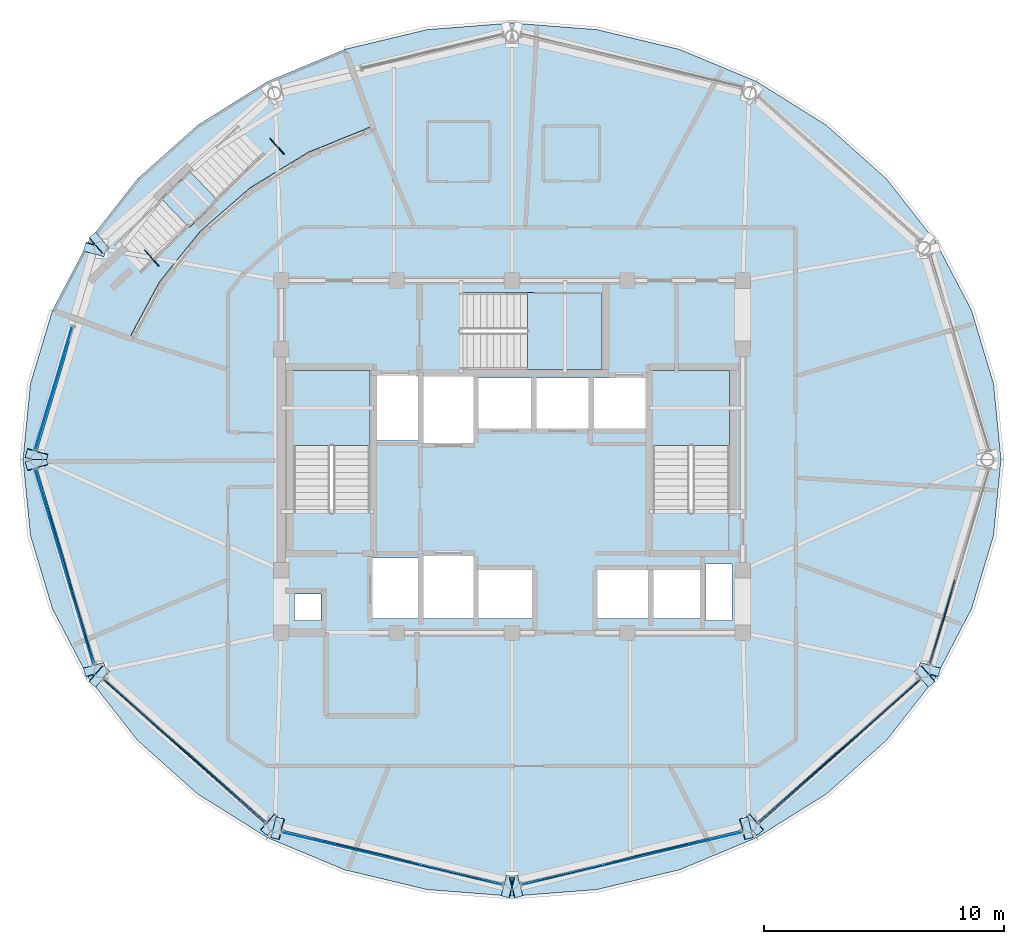
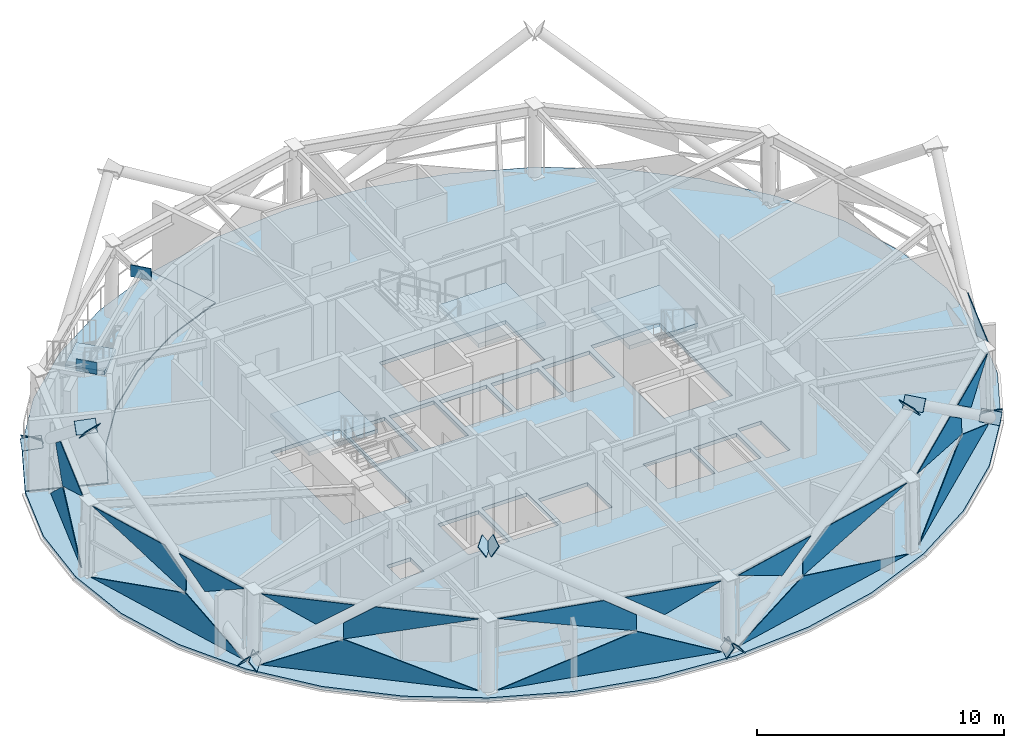
# One storey, part 6 of 16: 34 plates, 6 slabs, 11 elements without a shape of their own.
"""IFC4 building model written with IfcOpenShell, lengths in metres."""

from ifc_helpers import new_model, si_unit, direction, frame, origin, origin_2d, place, context, subcontext, project, spatial, polyline, rectangle, outline, extrude, material, layer, layer_set, type_object, element, aggregate, save


model = new_model("IFC4")

# Units and contexts
model_context = context("Model", 3, precision=1e-05, world=origin(), true_north=direction((0.0, 1.0)))
body_context = subcontext(model_context, "Body", "Model", "MODEL_VIEW")
ifc_project = project(units=[si_unit("LENGTHUNIT", "METRE"), si_unit("AREAUNIT", "SQUARE_METRE"), si_unit("VOLUMEUNIT", "CUBIC_METRE"), si_unit("PLANEANGLEUNIT", "RADIAN"), si_unit("MASSUNIT", "GRAM", prefix="KILO")], contexts=[model_context])

# Site, building, storey
site_placement = place(None, origin())
site = spatial("IfcSite", under=ifc_project, at=site_placement, CompositionType="ELEMENT")
building_placement = place(site_placement, origin())
building = spatial("IfcBuilding", under=site, at=building_placement, Name="Vantalir Tower", CompositionType="ELEMENT")
storey_placement = place(building_placement, frame((0.0, 0.0, 267.60009765625)))
storey = spatial("IfcBuildingStorey", under=building, at=storey_placement, Name="L67", CompositionType="ELEMENT", Elevation=267.60009765625)

# Curtain wall, plates
ifc_material_1 = material(Name="Champagne-silver PVDF aluminium and double-silver Low-E glass", Category="aluminium")
ifc_layer_1 = layer(ifc_material_1, 0.219970703125)
ifc_layer_set_1 = layer_set([ifc_layer_1], Name="Champagne-silver PVDF aluminium and double-silver Low-E glass")
curtain_wall_type = type_object("IfcCurtainWallType", Name="CW-DIAMOND-Z4", PredefinedType="USERDEFINED", material=ifc_layer_set_1)
curtain_wall_1_placement = place(storey_placement, origin())
curtain_wall_1 = element("IfcCurtainWall", 1, at=curtain_wall_1_placement, inside=storey, type_object=curtain_wall_type, Name="L67 Quilted Pyramid-Diamond Curtain Wall S06", ObjectType="UNITISED CURTAIN WALL", PredefinedType="USERDEFINED")
ifc_material_2 = material(Name="Double-silver Low-E acoustic glass IGU", Category="glass")
ifc_layer_2 = layer(ifc_material_2, 0.031982421875)
ifc_layer_set_2 = layer_set([ifc_layer_2], Name="Double-silver Low-E acoustic glass IGU")
plate_type_1 = type_object("IfcPlateType", Name="CWP-IGU-32", PredefinedType="CURTAIN_PANEL", material=ifc_layer_set_2)
plate_1_placement = place(storey_placement, frame((13.188232421875, 30.5458984375, 0.04833984375), z_axis=(-0.957577626839, 0.288056549847, 0.008277237963), x_axis=(-0.288067135435, -0.95761021155, -9.0644158e-05)))
plate_1 = element("IfcPlate", 2, at=plate_1_placement, type_object=plate_type_1, Name="CW-L67-S06 Pyramid Diamond Facet 1L", PredefinedType="CURTAIN_PANEL", context=body_context, shape_type="SweptSolid", body=[
    extrude(outline(polyline([(0.0, 0.0), (5.386792249503169, 2.4936649967166602e-18), (2.0473744940546603, 1.7226567119049399), (0.0, 0.0)])), origin(), (0.0, 0.0, -1.0), 0.031982421875),
])
plate_2_placement = place(storey_placement, frame((12.869873046875, 29.22265625, 3.521728515625), z_axis=(-0.957019252204, 0.287828844554, 0.035618915686), x_axis=(-0.288009506012, -0.957627547991, 6.1444302e-05)))
plate_2 = element("IfcPlate", 3, at=plate_2_placement, type_object=plate_type_1, Name="CW-L67-S06 Pyramid Diamond Facet 2U", PredefinedType="CURTAIN_PANEL", context=body_context, shape_type="SweptSolid", body=[
    extrude(outline(polyline([(0.0, 0.0), (4.004631467697305, -8.131516293641283e-19), (0.6883509899797698, -1.7237923894219778), (-0.7072590857941392, -0.547665427868717), (0.0, 0.0)])), origin(), (0.0, 0.0, -1.0), 0.031982421875),
])
aggregate(curtain_wall_1, [plate_1, plate_2])

curtain_wall_2_placement = place(storey_placement, origin())
curtain_wall_2 = element("IfcCurtainWall", 4, at=curtain_wall_2_placement, inside=storey, type_object=curtain_wall_type, Name="L67 Quilted Pyramid-Diamond Curtain Wall S07", ObjectType="UNITISED CURTAIN WALL", PredefinedType="USERDEFINED")
plate_3_placement = place(storey_placement, frame((11.63671875, 24.6123046875, 0.046875), z_axis=(-0.957603117015, -0.287974082888, 0.008197430566), x_axis=(0.287983984755, -0.957635224758, 2.8772503e-05)))
plate_3 = element("IfcPlate", 5, at=plate_3_placement, type_object=plate_type_1, Name="CW-L67-S07 Pyramid Diamond Facet 1L", PredefinedType="CURTAIN_PANEL", context=body_context, shape_type="SweptSolid", body=[
    extrude(outline(polyline([(0.0, 0.0), (8.485206278758936, 1.8973538018496328e-18), (5.256599613182047, 1.7250043707163476), (0.0, 0.0)])), origin(), (0.0, 0.0, -1.0), 0.031982421875),
])
plate_4_placement = place(storey_placement, frame((11.716552734375, 24.6123046875, 3.52294921875), z_axis=(-0.957018061878, -0.287815237253, 0.03576057108), x_axis=(0.287999406552, -0.957630587348, -1.141414e-06)))
plate_4 = element("IfcPlate", 6, at=plate_4_placement, type_object=plate_type_1, Name="CW-L67-S07 Pyramid Diamond Facet 2U", PredefinedType="CURTAIN_PANEL", context=body_context, shape_type="SweptSolid", body=[
    extrude(outline(polyline([(0.0, 0.0), (4.0033218532381625, 0.0), (5.233414742523836, -0.9522632634597291), (5.233466864122239, -1.726200353671122), (0.0, 0.0)])), origin(), (0.0, 0.0, -1.0), 0.031982421875),
])
plate_5_placement = place(storey_placement, frame((13.07470703125, 19.97119140625, 3.524169921875), z_axis=(-0.957016928253, -0.287823606353, 0.035723530951), x_axis=(0.288005123931, -0.957628865491, -6.759097e-05)))
plate_5 = element("IfcPlate", 7, at=plate_5_placement, type_object=plate_type_1, Name="CW-L67-S07 Pyramid Diamond Facet 2U Infill Light", PredefinedType="CURTAIN_PANEL", context=body_context, shape_type="SweptSolid", body=[
    extrude(outline(polyline([(0.0, 0.0), (3.6120301921222637, 2.8731357570865868e-18), (1.479699489440973, -1.1451621827617566), (0.0, 0.0)])), origin(), (0.0, 0.0, -1.0), 0.031982421875),
])
aggregate(curtain_wall_2, [plate_3, plate_4, plate_5])

curtain_wall_3_placement = place(storey_placement, origin())
curtain_wall_3 = element("IfcCurtainWall", 8, at=curtain_wall_3_placement, inside=storey, type_object=curtain_wall_type, Name="L67 Quilted Pyramid-Diamond Curtain Wall S08", ObjectType="UNITISED CURTAIN WALL", PredefinedType="USERDEFINED")
plate_6_placement = place(storey_placement, frame((14.499267578125, 15.82958984375, 0.046875), z_axis=(-0.66516677979, -0.746658773318, 0.007336981111), x_axis=(0.746678738033, -0.665184832532, -2.7173693e-05)))
plate_6 = element("IfcPlate", 9, at=plate_6_placement, type_object=plate_type_1, Name="CW-L67-S08 Pyramid Diamond Facet 1L", PredefinedType="CURTAIN_PANEL", context=body_context, shape_type="SweptSolid", body=[
    extrude(outline(polyline([(0.0, 0.0), (8.984447731055392, 2.710505431213761e-18), (3.4205391671479166, 1.725481189259266), (0.0, 0.0)])), origin(), (0.0, 0.0, -1.0), 0.031982421875),
])
plate_7_placement = place(storey_placement, frame((18.075927734375, 12.740966796875, 3.52294921875), z_axis=(-0.664793506556, -0.746229262665, 0.034517838618), x_axis=(0.746675513153, -0.665188450652, 5.636461e-05)))
plate_7 = element("IfcPlate", 10, at=plate_7_placement, type_object=plate_type_1, Name="CW-L67-S08 Pyramid Diamond Facet 2U", PredefinedType="CURTAIN_PANEL", context=body_context, shape_type="SweptSolid", body=[
    extrude(outline(polyline([(0.0, 0.0), (4.247791204975792, 2.5695591487906455e-17), (-1.3045924108664704, -1.7262969984910668), (-1.3045782149620742, -0.9558230429317882), (0.0, 0.0)])), origin(), (0.0, 0.0, -1.0), 0.031982421875),
])
plate_8_placement = place(storey_placement, frame((14.54443359375, 15.8388671875, 3.524169921875), z_axis=(-0.664795074665, -0.746224519217, 0.034590108715), x_axis=(0.746671339937, -0.665193137455, 0.0)))
plate_8 = element("IfcPlate", 11, at=plate_8_placement, type_object=plate_type_1, Name="CW-L67-S08 Pyramid Diamond Facet 2U Infill Light", PredefinedType="CURTAIN_PANEL", context=body_context, shape_type="SweptSolid", body=[
    extrude(outline(polyline([(0.0, 0.0), (3.835381617153688, 0.0), (2.2634809940875598, -1.151812310783424), (0.0, 0.0)])), origin(), (0.0, 0.0, -1.0), 0.031982421875),
])
aggregate(curtain_wall_3, [plate_6, plate_7, plate_8])

curtain_wall_4_placement = place(storey_placement, origin())
curtain_wall_4 = element("IfcCurtainWall", 12, at=curtain_wall_4_placement, inside=storey, type_object=curtain_wall_type, Name="L67 Quilted Pyramid-Diamond Curtain Wall S09", ObjectType="UNITISED CURTAIN WALL", PredefinedType="USERDEFINED")
plate_9_placement = place(storey_placement, frame((21.90380859375, 9.489990234375, 0.046630859375), z_axis=(-0.232213696624, -0.972644130112, 0.00633997305), x_axis=(0.972663716211, -0.232218204499, 2.580489e-05)))
plate_9 = element("IfcPlate", 13, at=plate_9_placement, type_object=plate_type_1, Name="CW-L67-S09 Pyramid Diamond Facet 1L", PredefinedType="CURTAIN_PANEL", context=body_context, shape_type="SweptSolid", body=[
    extrude(outline(polyline([(0.0, 0.0), (9.461021753718784, 1.0842021724855044e-19), (5.860841238901259, 1.7257135234354184), (0.0, 0.0)])), origin(), (0.0, 0.0, -1.0), 0.031982421875),
])
plate_10_placement = place(storey_placement, frame((21.94384765625, 9.552001953125, 3.523193359375), z_axis=(-0.232036803106, -0.972119958818, 0.033789165021), x_axis=(0.972674938609, -0.232171188484, -5.5135182e-05)))
plate_10 = element("IfcPlate", 14, at=plate_10_placement, type_object=plate_type_1, Name="CW-L67-S09 Pyramid Diamond Facet 2U", PredefinedType="CURTAIN_PANEL", context=body_context, shape_type="SweptSolid", body=[
    extrude(outline(polyline([(0.0, 0.0), (4.481360355073054, 4.30970363562988e-18), (5.836411070078648, -0.9491948254882803), (5.836468819461956, -1.7264970849296748), (0.0, 0.0)])), origin(), (0.0, 0.0, -1.0), 0.031982421875),
])
plate_11_placement = place(storey_placement, frame((27.15869140625, 8.270263671875, 3.524169921875), z_axis=(-0.23207637139, -0.972105984524, 0.033919208353), x_axis=(0.972665677659, -0.232209990105, 0.0)))
plate_11 = element("IfcPlate", 15, at=plate_11_placement, type_object=plate_type_1, Name="CW-L67-S09 Pyramid Diamond Facet 2U Infill Light", PredefinedType="CURTAIN_PANEL", context=body_context, shape_type="SweptSolid", body=[
    extrude(outline(polyline([(0.0, 0.0), (4.049910544655532, -3.469446951953614e-18), (1.6504108016246053, -1.156182871072711), (0.0, 0.0)])), origin(), (0.0, 0.0, -1.0), 0.031982421875),
])
aggregate(curtain_wall_4, [plate_9, plate_10, plate_11])

curtain_wall_5_placement = place(storey_placement, origin())
curtain_wall_5 = element("IfcCurtainWall", 16, at=curtain_wall_5_placement, inside=storey, type_object=curtain_wall_type, Name="L67 Quilted Pyramid-Diamond Curtain Wall S10", ObjectType="UNITISED CURTAIN WALL", PredefinedType="USERDEFINED")
plate_12_placement = place(storey_placement, frame((31.893798828125, 7.29296875, 0.046875), z_axis=(0.232213696624, -0.972644130112, 0.00633997305), x_axis=(0.972663716211, 0.232218204499, -2.580489e-05)))
plate_12 = element("IfcPlate", 17, at=plate_12_placement, type_object=plate_type_1, Name="CW-L67-S10 Pyramid Diamond Facet 1L", PredefinedType="CURTAIN_PANEL", context=body_context, shape_type="SweptSolid", body=[
    extrude(outline(polyline([(0.0, 0.0), (9.461021753718784, -1.0842021724855044e-19), (3.6001805148175237, 1.7257135234354182), (0.0, 0.0)])), origin(), (0.0, 0.0, -1.0), 0.031982421875),
])
plate_13_placement = place(storey_placement, frame((36.697265625, 8.511474609375, 3.52294921875), z_axis=(0.232036803106, -0.972119958818, 0.033789165021), x_axis=(0.972674938609, 0.232171188484, 5.5135182e-05)))
plate_13 = element("IfcPlate", 18, at=plate_13_placement, type_object=plate_type_1, Name="CW-L67-S10 Pyramid Diamond Facet 2U", PredefinedType="CURTAIN_PANEL", context=body_context, shape_type="SweptSolid", body=[
    extrude(outline(polyline([(0.0, 0.0), (4.481360355073054, -4.30970363562988e-18), (-1.3551084643889024, -1.7264970849296748), (-1.355050715005594, -0.9491948254882803), (0.0, 0.0)])), origin(), (0.0, 0.0, -1.0), 0.031982421875),
])
plate_14_placement = place(storey_placement, frame((31.902099609375, 7.329833984375, 3.524169921875), z_axis=(0.23207637139, -0.972105984524, 0.033919208353), x_axis=(0.972665677659, 0.232209990105, 0.0)))
plate_14 = element("IfcPlate", 19, at=plate_14_placement, type_object=plate_type_1, Name="CW-L67-S10 Pyramid Diamond Facet 2U Infill Light", PredefinedType="CURTAIN_PANEL", context=body_context, shape_type="SweptSolid", body=[
    extrude(outline(polyline([(0.0, 0.0), (4.049910544655532, 3.469446951953614e-18), (2.3994997430309266, -1.156182871072711), (0.0, 0.0)])), origin(), (0.0, 0.0, -1.0), 0.031982421875),
])
aggregate(curtain_wall_5, [plate_12, plate_13, plate_14])

curtain_wall_6_placement = place(storey_placement, origin())
curtain_wall_6 = element("IfcCurtainWall", 20, at=curtain_wall_6_placement, inside=storey, type_object=curtain_wall_type, Name="L67 Quilted Pyramid-Diamond Curtain Wall S11", ObjectType="UNITISED CURTAIN WALL", PredefinedType="USERDEFINED")
plate_15_placement = place(storey_placement, frame((41.792236328125, 9.853271484375, 0.046630859375), z_axis=(0.66516677979, -0.746658773318, 0.007336981111), x_axis=(0.746678738033, 0.665184832532, 2.7173693e-05)))
plate_15 = element("IfcPlate", 21, at=plate_15_placement, type_object=plate_type_1, Name="CW-L67-S11 Pyramid Diamond Facet 1L", PredefinedType="CURTAIN_PANEL", context=body_context, shape_type="SweptSolid", body=[
    extrude(outline(polyline([(0.0, 0.0), (8.984447731055392, -2.710505431213761e-18), (5.563908563907474, 1.725481189259266), (0.0, 0.0)])), origin(), (0.0, 0.0, -1.0), 0.031982421875),
])
plate_16_placement = place(storey_placement, frame((41.75244140625, 9.915283203125, 3.523193359375), z_axis=(0.664793506556, -0.746229262665, 0.034517838618), x_axis=(0.746675513153, 0.665188450652, -5.636461e-05)))
plate_16 = element("IfcPlate", 22, at=plate_16_placement, type_object=plate_type_1, Name="CW-L67-S11 Pyramid Diamond Facet 2U", PredefinedType="CURTAIN_PANEL", context=body_context, shape_type="SweptSolid", body=[
    extrude(outline(polyline([(0.0, 0.0), (4.247791204975792, -2.5695591487906455e-17), (5.5523694199378655, -0.9558230429317882), (5.552383615842262, -1.7262969984910668), (0.0, 0.0)])), origin(), (0.0, 0.0, -1.0), 0.031982421875),
])
plate_17_placement = place(storey_placement, frame((45.591796875, 13.28759765625, 3.524169921875), z_axis=(0.664795074665, -0.746224519217, 0.034590108715), x_axis=(0.746671339937, 0.665193137455, 0.0)))
plate_17 = element("IfcPlate", 23, at=plate_17_placement, type_object=plate_type_1, Name="CW-L67-S11 Pyramid Diamond Facet 2U Infill Light", PredefinedType="CURTAIN_PANEL", context=body_context, shape_type="SweptSolid", body=[
    extrude(outline(polyline([(0.0, 0.0), (3.835381617153688, 0.0), (1.571900623066128, -1.1518123107834237), (0.0, 0.0)])), origin(), (0.0, 0.0, -1.0), 0.031982421875),
])
aggregate(curtain_wall_6, [plate_15, plate_16, plate_17])

# Curtain wall, plate
curtain_wall_7_placement = place(storey_placement, origin())
curtain_wall_7 = element("IfcCurtainWall", 24, at=curtain_wall_7_placement, inside=storey, type_object=curtain_wall_type, Name="L67 Quilted Pyramid-Diamond Curtain Wall S12", ObjectType="UNITISED CURTAIN WALL", PredefinedType="USERDEFINED")
plate_18_placement = place(storey_placement, frame((48.885009765625, 16.51220703125, 3.52392578125), z_axis=(0.957016928253, -0.287823606353, 0.035723530951), x_axis=(0.288005123931, 0.957628865491, 6.759097e-05)))
plate_18 = element("IfcPlate", 25, at=plate_18_placement, type_object=plate_type_1, Name="CW-L67-S12 Pyramid Diamond Facet 2U Infill Light", PredefinedType="CURTAIN_PANEL", context=body_context, shape_type="SweptSolid", body=[
    extrude(outline(polyline([(0.0, 0.0), (3.6120301921222637, -2.8731357570865868e-18), (2.1323307026812905, -1.1451621827617569), (0.0, 0.0)])), origin(), (0.0, 0.0, -1.0), 0.031982421875),
])
aggregate(curtain_wall_7, [plate_18])

# Plates
ifc_material_3 = material(Name="Steel S460", Category="steel")
ifc_layer_3 = layer(ifc_material_3, 0.035888671875)
ifc_layer_set_3 = layer_set([ifc_layer_3], Name="Steel S460")
plate_type_2 = type_object("IfcPlateType", Name="PLT-KN-Z2", PredefinedType="USERDEFINED", material=ifc_layer_set_3)
for number, where, z_axis, x_axis, name in (
    (26, (21.72802734375, 38.031982421875, 3.1298828125), (0.0, 0.0, 1.0), (-0.747021203603, -0.664800211618, 0.0), "L67 Lintel Cap 1A"),
    (27, (16.510986328125, 33.389892578125, 3.1298828125), (0.0, 0.0, 1.0), (-0.747021203603, -0.664800211618, 0.0), "L67 Lintel Cap 1B"),
):
    element("IfcPlate", number, at=place(storey_placement, frame(where, z_axis=z_axis, x_axis=x_axis)), inside=storey, type_object=plate_type_2, Name=name, ObjectType="FLANGE_PLATE", PredefinedType="USERDEFINED", context=body_context, shape_type="SweptSolid", body=[
        extrude(rectangle(XDim=0.035888671875, YDim=0.8798828125, at=origin_2d()), origin(), (0.0, 0.0, 1.0), 0.580078125),
    ])
plate_19_placement = place(storey_placement, frame((13.67626953125, 33.675537109375, -0.009765625), z_axis=(-0.215226659059, -0.760862439977, 0.612181209007), x_axis=(0.962243074722, -0.272191596396, 0.0)))
element("IfcPlate", 28, at=plate_19_placement, inside=storey, type_object=plate_type_2, Name="Node Cap Plate MEM-DG-L67-R16L Start", ObjectType="FLANGE_PLATE", PredefinedType="USERDEFINED", context=body_context, shape_type="SweptSolid", body=[
    extrude(outline(polyline([(0.0, 0.0), (0.8799020847661332, 2.7755575615628914e-17), (0.8799636605062512, 0.5798481667872841), (6.157574011797506e-05, 0.5798481667872841), (0.0, 0.0)])), origin(), (0.0, 0.0, -1.0), 0.035888671875),
])
plate_20_placement = place(storey_placement, frame((11.24951171875, 25.094970703125, 6.89306640625), z_axis=(-0.215158788321, -0.760841831483, 0.612230678154), x_axis=(0.962263623275, -0.272118943336, 0.0)))
element("IfcPlate", 29, at=plate_20_placement, inside=storey, type_object=plate_type_2, Name="Node Cap Plate MEM-DG-L67-R16L End", ObjectType="FLANGE_PLATE", PredefinedType="USERDEFINED", context=body_context, shape_type="SweptSolid", body=[
    extrude(outline(polyline([(0.0, 0.0), (0.8801370099005008, 0.0), (0.8801589518307799, 0.5801850290104398), (2.1941930279031907e-05, 0.5801850290104398), (0.0, 0.0)])), origin(), (0.0, 0.0, -1.0), 0.035888671875),
])
plate_21_placement = place(storey_placement, frame((14.753662109375, 33.799560546875, -0.019287109375), z_axis=(0.610086281914, 0.527518213685, 0.591201541651), x_axis=(-0.654067743502, 0.756435976712, 6.770196e-06)))
element("IfcPlate", 30, at=plate_21_placement, inside=storey, type_object=plate_type_2, Name="Node Cap Plate MEM-DG-L67-R16R Start", ObjectType="FLANGE_PLATE", PredefinedType="USERDEFINED", context=body_context, shape_type="SweptSolid", body=[
    extrude(outline(polyline([(0.0, 0.0), (0.8801495721854425, 0.0), (0.8800197510663317, 0.5799797162433005), (0.0002145401407071204, 0.5799944898164169), (0.0, 0.0)])), origin(), (0.0, 0.0, -1.0), 0.035888671875),
])
plate_22_placement = place(storey_placement, frame((14.177978515625, 15.53369140625, -0.019287109375), z_axis=(0.610086281914, -0.527518213685, 0.591201541651), x_axis=(0.654067743502, 0.756435976712, -6.770196e-06)))
element("IfcPlate", 31, at=plate_22_placement, inside=storey, type_object=plate_type_2, Name="Node Cap Plate MEM-DG-L67-R22L Start", ObjectType="FLANGE_PLATE", PredefinedType="USERDEFINED", context=body_context, shape_type="SweptSolid", body=[
    extrude(outline(polyline([(0.0, 0.0), (0.8801495721854425, 0.0), (0.8799350320447354, 0.5799944898164169), (0.00012982111911078427, 0.5799797162433006), (0.0, 0.0)])), origin(), (0.0, 0.0, -1.0), 0.035888671875),
])
plate_23_placement = place(storey_placement, frame((21.314697265625, 9.3642578125, 6.892578125), z_axis=(0.610199071118, -0.527503836649, 0.59109795798), x_axis=(0.653960623194, 0.756528586004, 4.3253121e-05)))
element("IfcPlate", 32, at=plate_23_placement, inside=storey, type_object=plate_type_2, Name="Node Cap Plate MEM-DG-L67-R22L End", ObjectType="FLANGE_PLATE", PredefinedType="USERDEFINED", context=body_context, shape_type="SweptSolid", body=[
    extrude(outline(polyline([(0.0, 0.0), (0.8799899030518978, 5.551115123125783e-17), (0.8800069765624379, 0.5798853249034779), (0.00020177287235743005, 0.5799796921876466), (0.0, 0.0)])), origin(), (0.0, 0.0, -1.0), 0.035888671875),
])
plate_24_placement = place(storey_placement, frame((14.52294921875, 16.56298828125, -0.009765625), z_axis=(-0.215226659059, 0.760862439977, 0.612181209007), x_axis=(-0.962243074722, -0.272191596396, 0.0)))
element("IfcPlate", 33, at=plate_24_placement, inside=storey, type_object=plate_type_2, Name="Node Cap Plate MEM-DG-L67-R22R Start", ObjectType="FLANGE_PLATE", PredefinedType="USERDEFINED", context=body_context, shape_type="SweptSolid", body=[
    extrude(outline(polyline([(0.0, 0.0), (0.8799020847661332, -2.7755575615628914e-17), (0.8798405090260153, 0.5798481667872841), (-6.157574011797506e-05, 0.5798481667872841), (0.0, 0.0)])), origin(), (0.0, 0.0, -1.0), 0.035888671875),
])
plate_25_placement = place(storey_placement, frame((12.096435546875, 25.14453125, 6.89306640625), z_axis=(-0.215083899646, 0.760964862694, 0.612104071101), x_axis=(-0.96228632897, -0.272038631272, 6.4602548e-05)))
element("IfcPlate", 34, at=plate_25_placement, inside=storey, type_object=plate_type_2, Name="Node Cap Plate MEM-DG-L67-R22R End", ObjectType="FLANGE_PLATE", PredefinedType="USERDEFINED", context=body_context, shape_type="SweptSolid", body=[
    extrude(outline(polyline([(0.0, 0.0), (0.880137004998549, -2.7755575615628914e-17), (0.8800486375827811, 0.5800412214067102), (-2.1951734304989153e-05, 0.5801850215738391), (0.0, 0.0)])), origin(), (0.0, 0.0, -1.0), 0.035888671875),
])
plate_26_placement = place(storey_placement, frame((31.9501953125, 6.859130859375, -0.02685546875), z_axis=(0.794119333931, 0.200887535039, 0.573601500819), x_axis=(-0.245254504769, 0.969458729207, 1.5985904e-05)))
element("IfcPlate", 35, at=plate_26_placement, inside=storey, type_object=plate_type_2, Name="Node Cap Plate MEM-DG-L67-R28L Start", ObjectType="FLANGE_PLATE", PredefinedType="USERDEFINED", context=body_context, shape_type="SweptSolid", body=[
    extrude(outline(polyline([(0.0, 0.0), (0.8799057085116735, 0.0), (0.8799577333685337, 0.5799824000281086), (-0.00018465940319996104, 0.5800167484281901), (0.0, 0.0)])), origin(), (0.0, 0.0, -1.0), 0.035888671875),
])
plate_27_placement = place(storey_placement, frame((41.52685546875, 9.28369140625, 6.892333984375), z_axis=(0.793947649322, 0.201100077175, 0.573764663512), x_axis=(-0.245537379595, 0.969387123507, 0.0)))
element("IfcPlate", 36, at=plate_27_placement, inside=storey, type_object=plate_type_2, Name="Node Cap Plate MEM-DG-L67-R28L End", ObjectType="FLANGE_PLATE", PredefinedType="USERDEFINED", context=body_context, shape_type="SweptSolid", body=[
    extrude(outline(polyline([(0.0, 0.0), (0.8799656226747645, 0.0), (0.8801071215012269, 0.5797824125959326), (0.00014149882646246538, 0.5797824125959326), (0.0, 0.0)])), origin(), (0.0, 0.0, -1.0), 0.035888671875),
])
plate_28_placement = place(storey_placement, frame((31.265625, 7.712158203125, -0.02685546875), z_axis=(-0.794119333931, 0.200887535039, 0.573601500819), x_axis=(-0.245254504769, -0.969458729207, -1.5985904e-05)))
element("IfcPlate", 37, at=plate_28_placement, inside=storey, type_object=plate_type_2, Name="Node Cap Plate MEM-DG-L67-R28R Start", ObjectType="FLANGE_PLATE", PredefinedType="USERDEFINED", context=body_context, shape_type="SweptSolid", body=[
    extrude(outline(polyline([(0.0, 0.0), (0.8799057085116735, 0.0), (0.8800903679148734, 0.5800167484281901), (-5.202485686023545e-05, 0.5799824000281086), (0.0, 0.0)])), origin(), (0.0, 0.0, -1.0), 0.035888671875),
])
plate_29_placement = place(storey_placement, frame((21.689208984375, 10.13671875, 6.892333984375), z_axis=(-0.793947649322, 0.201100077175, 0.573764663512), x_axis=(-0.245537379595, -0.969387123507, 0.0)))
element("IfcPlate", 38, at=plate_29_placement, inside=storey, type_object=plate_type_2, Name="Node Cap Plate MEM-DG-L67-R28R End", ObjectType="FLANGE_PLATE", PredefinedType="USERDEFINED", context=body_context, shape_type="SweptSolid", body=[
    extrude(outline(polyline([(0.0, 0.0), (0.8799656226747645, 0.0), (0.879824123848302, 0.5797824125959326), (-0.00014149882646246538, 0.5797824125959326), (0.0, 0.0)])), origin(), (0.0, 0.0, -1.0), 0.035888671875),
])
plate_30_placement = place(storey_placement, frame((49.32373046875, 16.323486328125, -0.009765625), z_axis=(0.215226659059, 0.760862439977, 0.612181209007), x_axis=(-0.962243074722, 0.272191596396, 0.0)))
element("IfcPlate", 39, at=plate_30_placement, inside=storey, type_object=plate_type_2, Name="Node Cap Plate MEM-DG-L67-R34L Start", ObjectType="FLANGE_PLATE", PredefinedType="USERDEFINED", context=body_context, shape_type="SweptSolid", body=[
    extrude(outline(polyline([(0.0, 0.0), (0.8799020847661332, 2.7755575615628914e-17), (0.8799636605062512, 0.5798481667872841), (6.157574011797506e-05, 0.5798481667872841), (0.0, 0.0)])), origin(), (0.0, 0.0, -1.0), 0.035888671875),
])
plate_31_placement = place(storey_placement, frame((48.246337890625, 16.199462890625, -0.019287109375), z_axis=(-0.610086281914, -0.527518213685, 0.591201541651), x_axis=(0.654067743502, -0.756435976712, 6.770196e-06)))
element("IfcPlate", 40, at=plate_31_placement, inside=storey, type_object=plate_type_2, Name="Node Cap Plate MEM-DG-L67-R34R Start", ObjectType="FLANGE_PLATE", PredefinedType="USERDEFINED", context=body_context, shape_type="SweptSolid", body=[
    extrude(outline(polyline([(0.0, 0.0), (0.8801495721854425, 0.0), (0.8800197510663317, 0.5799797162433005), (0.0002145401407071204, 0.5799944898164169), (0.0, 0.0)])), origin(), (0.0, 0.0, -1.0), 0.035888671875),
])
plate_32_placement = place(storey_placement, frame((41.10986328125, 10.030029296875, 6.892578125), z_axis=(-0.610199071118, -0.527503836649, 0.59109795798), x_axis=(0.653960623194, -0.756528586004, -4.3253121e-05)))
element("IfcPlate", 41, at=plate_32_placement, inside=storey, type_object=plate_type_2, Name="Node Cap Plate MEM-DG-L67-R34R End", ObjectType="FLANGE_PLATE", PredefinedType="USERDEFINED", context=body_context, shape_type="SweptSolid", body=[
    extrude(outline(polyline([(0.0, 0.0), (0.8799899030518978, -5.551115123125783e-17), (0.8797881301795404, 0.5799796921876464), (-1.707351054009357e-05, 0.5798853249034779), (0.0, 0.0)])), origin(), (0.0, 0.0, -1.0), 0.035888671875),
])

# Stair, slab
ifc_material_4 = material(Name="Concrete C40/50", Category="concrete")
stair_type_1 = type_object("IfcStairType", Name="STR-CORE-1450", PredefinedType="HALF_TURN_STAIR", material=ifc_material_4)
stair_1_placement = place(storey_placement, origin())
stair_1 = element("IfcStair", 42, at=stair_1_placement, inside=storey, type_object=stair_type_1, Name="L67 Core Exit Stair 1", PredefinedType="HALF_TURN_STAIR")
ifc_layer_4 = layer(ifc_material_4, 0.199951171875)
ifc_layer_set_4 = layer_set([ifc_layer_4], Name="Concrete C40/50")
slab_type_1 = type_object("IfcSlabType", Name="SL-LAND-200", PredefinedType="LANDING", material=ifc_layer_set_4)
slab_1_placement = place(storey_placement, frame((0.0, 0.0, 1.6748046875)))
slab_1 = element("IfcSlab", 43, at=slab_1_placement, type_object=slab_type_1, Name="ST1 landing 1", PredefinedType="LANDING", context=body_context, shape_type="SweptSolid", body=[
    extrude(outline(polyline([(25.60009765625, 25.590087890625), (25.60009765625, 28.699951171875), (22.39990234375, 28.699951171875), (22.39990234375, 25.590087890625), (25.60009765625, 25.590087890625)])), origin(), (0.0, 0.0, 1.0), 0.2001953125),
])
aggregate(stair_1, [slab_1])

stair_2_placement = place(storey_placement, origin())
stair_2 = element("IfcStair", 44, at=stair_2_placement, inside=storey, type_object=stair_type_1, Name="L67 Core Exit Stair 2", PredefinedType="HALF_TURN_STAIR")
slab_2_placement = place(storey_placement, frame((0.0, 0.0, 1.6748046875)))
slab_2 = element("IfcSlab", 45, at=slab_2_placement, type_object=slab_type_1, Name="ST2 landing 1", PredefinedType="LANDING", context=body_context, shape_type="SweptSolid", body=[
    extrude(outline(polyline([(40.550048828125, 25.590087890625), (40.550048828125, 28.699951171875), (37.35009765625, 28.699951171875), (37.35009765625, 25.590087890625), (40.550048828125, 25.590087890625)])), origin(), (0.0, 0.0, 1.0), 0.2001953125),
])
aggregate(stair_2, [slab_2])

stair_3_placement = place(storey_placement, origin())
stair_3 = element("IfcStair", 46, at=stair_3_placement, inside=storey, type_object=stair_type_1, Name="L67 Core Exit Stair 3", PredefinedType="HALF_TURN_STAIR")
slab_3_placement = place(storey_placement, frame((0.0, 0.0, 1.6748046875)))
slab_3 = element("IfcSlab", 47, at=slab_3_placement, type_object=slab_type_1, Name="ST3 landing 1", PredefinedType="LANDING", context=body_context, shape_type="SweptSolid", body=[
    extrude(outline(polyline([(32.139892578125, 28.75), (35.25, 28.75), (35.25, 31.949951171875), (32.139892578125, 31.949951171875), (32.139892578125, 28.75)])), origin(), (0.0, 0.0, 1.0), 0.2001953125),
])
aggregate(stair_3, [slab_3])

ifc_material_5 = material(Name="Steel S355", Category="steel")
stair_type_2 = type_object("IfcStairType", Name="STR-SKYGARDEN-1550", PredefinedType="STRAIGHT_RUN_STAIR", material=ifc_material_5)
stair_4_placement = place(storey_placement, origin())
stair_4 = element("IfcStair", 48, at=stair_4_placement, inside=storey, type_object=stair_type_2, Name="Sky Garden Feature Stair SG4", PredefinedType="STRAIGHT_RUN_STAIR")
slab_4_placement = place(storey_placement, frame((0.0, 0.0, 1.6748046875)))
slab_4 = element("IfcSlab", 49, at=slab_4_placement, type_object=slab_type_1, Name="ST-SG4 landing 1", PredefinedType="LANDING", context=body_context, shape_type="SweptSolid", body=[
    extrude(outline(polyline([(18.10205078125, 36.987060546875), (16.9189453125, 35.85107421875), (18.075927734375, 34.64697265625), (19.259033203125, 35.782958984375), (18.10205078125, 36.987060546875)])), origin(), (0.0, 0.0, 1.0), 0.2001953125),
])
aggregate(stair_4, [slab_4])

# Slabs
ifc_material_6 = material(Name="Concrete C40/50 planted sky-garden PLANTER deck", Category="concrete")
ifc_layer_5 = layer(ifc_material_6, 0.260009765625)
ifc_layer_set_5 = layer_set([ifc_layer_5], Name="Concrete C40/50 planted sky-garden PLANTER deck")
slab_type_2 = type_object("IfcSlabType", Name="SL-SKYGARDEN-PLANTER-260", PredefinedType="ROOF", material=ifc_layer_set_5)
slab_5_placement = place(storey_placement, frame((0.0, 0.0, -0.22021484375)))
element("IfcSlab", 50, at=slab_5_placement, inside=storey, type_object=slab_type_2, Name="L67 Spiralling Sky Garden PLANTER Deck SG4", PredefinedType="ROOF", context=body_context, shape_type="SweptSolid", body=[
    extrude(outline(polyline([(12.388916015625, 31.215087890625), (15.580078125, 30.054931640625), (16.825927734375, 32.383056640625), (18.51904296875, 34.490966796875), (20.60791015625, 36.31201171875), (23.028076171875, 37.787109375), (25.699951171875, 38.8740234375), (24.5380859375, 42.06396484375), (21.330078125, 40.72802734375), (18.426025390625, 38.912109375), (15.9189453125, 36.674072265625), (13.885009765625, 34.080078125), (12.388916015625, 31.215087890625)])), origin(), (0.0, 0.0, 1.0), 0.260009765625),
])
ifc_layer_6 = layer(ifc_material_4, 0.179931640625)
ifc_layer_set_6 = layer_set([ifc_layer_6], Name="Concrete C40/50")
slab_type_3 = type_object("IfcSlabType", Name="SL-TWR-180", PredefinedType="FLOOR", material=ifc_layer_set_6)
slab_6_placement = place(storey_placement, frame((0.0, 0.0, -0.18017578125)))
element("IfcSlab", 51, at=slab_6_placement, inside=storey, type_object=slab_type_3, Name="L67 Primary Structural Slab", PredefinedType="FLOOR", context=body_context, shape_type="SweptSolid", body=[
    extrude(outline(polyline([(15.9189453125, 13.325927734375), (18.426025390625, 11.087890625), (21.330078125, 9.27197265625), (24.54296875, 7.93408203125), (27.968017578125, 7.114990234375), (31.5, 6.839111328125), (35.031982421875, 7.114990234375), (38.45703125, 7.93408203125), (41.669921875, 9.27197265625), (44.573974609375, 11.087890625), (47.0810546875, 13.325927734375), (49.114990234375, 15.9189453125), (50.613037109375, 18.7890625), (51.531005859375, 21.845947265625), (51.840087890625, 25.0), (51.531005859375, 28.154052734375), (50.613037109375, 31.2109375), (49.114990234375, 34.080078125), (47.0810546875, 36.674072265625), (44.573974609375, 38.912109375), (41.669921875, 40.72802734375), (38.45703125, 42.06591796875), (35.031982421875, 42.885009765625), (31.5, 43.160888671875), (27.968017578125, 42.885009765625), (24.54296875, 42.06591796875), (25.7060546875, 38.87109375), (23.030029296875, 37.782958984375), (20.611083984375, 36.30810546875), (18.52294921875, 34.488037109375), (16.830078125, 32.3798828125), (15.58203125, 30.049072265625), (12.386962890625, 31.2109375), (11.468994140625, 28.154052734375), (11.159912109375, 25.0), (11.468994140625, 21.845947265625), (12.386962890625, 18.7890625), (13.885009765625, 15.9189453125), (15.9189453125, 13.325927734375)]), holes=[polyline([(22.39990234375, 28.699951171875), (25.60009765625, 28.699951171875), (25.60009765625, 22.7900390625), (22.39990234375, 22.7900390625), (22.39990234375, 28.699951171875)]), polyline([(40.550048828125, 28.699951171875), (40.550048828125, 22.7900390625), (37.35009765625, 22.7900390625), (37.35009765625, 28.699951171875), (40.550048828125, 28.699951171875)]), polyline([(29.340087890625, 28.75), (29.340087890625, 31.949951171875), (35.25, 31.949951171875), (35.25, 28.75), (29.340087890625, 28.75)]), polyline([(25.699951171875, 18.39990234375), (25.699951171875, 20.89990234375), (27.60009765625, 20.89990234375), (27.60009765625, 18.39990234375), (25.699951171875, 18.39990234375)]), polyline([(25.699951171875, 28.5), (27.60009765625, 28.5), (27.60009765625, 25.800048828125), (25.699951171875, 25.800048828125), (25.699951171875, 28.5)]), polyline([(29.89990234375, 21.0), (29.89990234375, 18.39990234375), (27.800048828125, 18.39990234375), (27.800048828125, 21.0), (29.89990234375, 21.0)]), polyline([(29.89990234375, 25.699951171875), (27.800048828125, 25.699951171875), (27.800048828125, 28.5), (29.89990234375, 28.5), (29.89990234375, 25.699951171875)]), polyline([(30.10009765625, 18.39990234375), (30.10009765625, 20.39990234375), (32.39990234375, 20.39990234375), (32.39990234375, 18.39990234375), (30.10009765625, 18.39990234375)]), polyline([(37.35009765625, 20.39990234375), (39.35009765625, 20.39990234375), (39.35009765625, 18.39990234375), (37.35009765625, 18.39990234375), (37.35009765625, 20.39990234375)]), polyline([(37.199951171875, 20.39990234375), (37.199951171875, 18.39990234375), (35.0, 18.39990234375), (35.0, 20.39990234375), (37.199951171875, 20.39990234375)]), polyline([(32.300048828125, 26.300048828125), (30.10009765625, 26.300048828125), (30.10009765625, 28.39990234375), (32.300048828125, 28.39990234375), (32.300048828125, 26.300048828125)]), polyline([(32.5, 26.300048828125), (32.5, 28.39990234375), (34.699951171875, 28.39990234375), (34.699951171875, 26.300048828125), (32.5, 26.300048828125)]), polyline([(34.89990234375, 28.39990234375), (37.10009765625, 28.39990234375), (37.10009765625, 26.300048828125), (34.89990234375, 26.300048828125), (34.89990234375, 28.39990234375)]), polyline([(23.550048828125, 19.39990234375), (23.550048828125, 18.300048828125), (22.449951171875, 18.300048828125), (22.449951171875, 19.39990234375), (23.550048828125, 19.39990234375)]), polyline([(40.64990234375, 18.300048828125), (39.550048828125, 18.300048828125), (39.550048828125, 20.64990234375), (40.64990234375, 20.64990234375), (40.64990234375, 18.300048828125)])]), origin(), (0.0, 0.0, 1.0), 0.18017578125),
])

save(model, "model.ifc")
